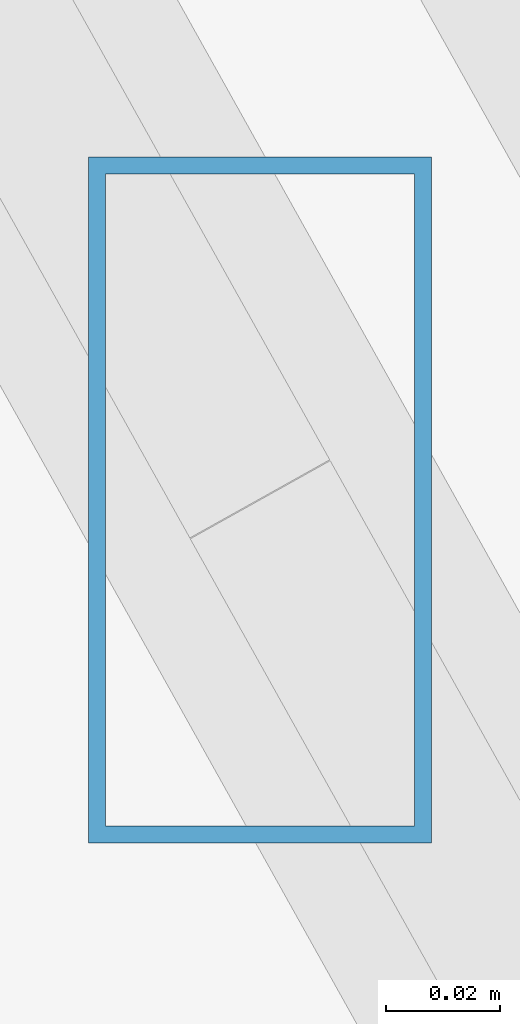
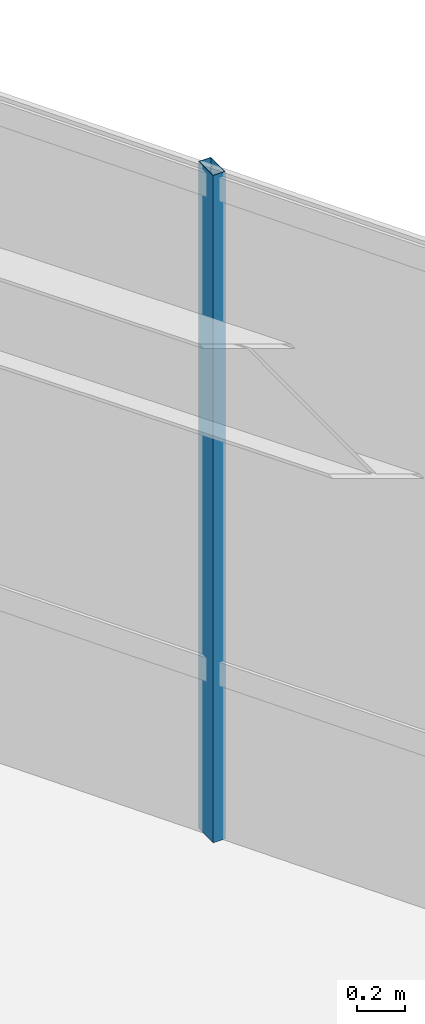
# One storey, part 38 of 45: 1 member, 1 element without a shape of its own.
"""IFC4 building model written with IfcOpenShell, lengths in metres."""

from ifc_helpers import new_model, si_unit, direction, frame, origin, origin_2d, place, context, subcontext, project, spatial, hollow_rectangle, extrude, source, transform, mapped, material, material_profile, profile_set, type_object, type_shapes, element, aggregate, save


model = new_model("IFC4")

# Units and contexts
model_context = context("Model", 3, precision=1e-05, world=origin(), true_north=direction((0.0, 1.0)))
body_context = subcontext(model_context, "Body", "Model", "MODEL_VIEW")
ifc_project = project(units=[si_unit("LENGTHUNIT", "METRE"), si_unit("AREAUNIT", "SQUARE_METRE"), si_unit("VOLUMEUNIT", "CUBIC_METRE"), si_unit("PLANEANGLEUNIT", "RADIAN"), si_unit("MASSUNIT", "GRAM", prefix="KILO")], contexts=[model_context])

# Site, building, storey
site_placement = place(None, origin())
site = spatial("IfcSite", under=ifc_project, at=site_placement, CompositionType="ELEMENT")
building_placement = place(site_placement, origin())
building = spatial("IfcBuilding", under=site, at=building_placement, Name="Caelisora Broadcast Tower", CompositionType="ELEMENT")
storey_placement = place(building_placement, frame((0.0, 0.0, 273.64990234375)))
storey = spatial("IfcBuildingStorey", under=building, at=storey_placement, Name="L72", CompositionType="ELEMENT", Elevation=273.64990234375)

# Curtain wall, member
ifc_material_1 = material(Name="Unitised Aluminium and Low-E Glass Curtain Wall", Category="glass")
curtain_wall_type = type_object("IfcCurtainWallType", Name="CW-Z5", PredefinedType="NOTDEFINED", material=ifc_material_1)
curtain_wall_placement = place(storey_placement, origin())
curtain_wall = element("IfcCurtainWall", 1, at=curtain_wall_placement, inside=storey, type_object=curtain_wall_type, Name="L72 curtain wall CW-Z5", PredefinedType="NOTDEFINED")
ifc_material_2 = material(Name="Aluminium 6063-T6 Anodised Terracotta Bronze", Category="aluminium")
ifc_material_profile = material_profile(ifc_material_2, hollow_rectangle(XDim=0.06005859375, YDim=0.1201171875, WallThickness=0.0029296875, at=origin_2d()), Name="Aluminium 6063-T6 Anodised Terracotta Bronze")
ifc_profile_set = profile_set([ifc_material_profile], Name="Aluminium 6063-T6 Anodised Terracotta Bronze")
member_type = type_object("IfcMemberType", Name="CWM-04", PredefinedType="MULLION", material=ifc_profile_set)
shared_shape = source(origin(), body_context, "Body", "SweptSolid", [
    extrude(hollow_rectangle(XDim=0.06005859375, YDim=0.1201171875, WallThickness=0.0029296875, at=origin_2d()), origin(), (0.0, 0.0, 1.0), 3.400146484375),
])
type_shapes(member_type, [shared_shape])
member_placement = place(storey_placement, frame((45.12890625, 42.261474609375, 0.0), z_axis=(0.0, 0.0, 1.0), x_axis=(1.0, 0.0, 0.0)))
member = element("IfcMember", 2, at=member_placement, type_object=member_type, Name="L72-CW-B01 mullion #2", PredefinedType="MULLION", context=body_context, shape_type="MappedRepresentation", body=[
    mapped(shared_shape, transform((0.0, 0.0, 0.0), scale=1.0)),
])
aggregate(curtain_wall, [member])

save(model, "model.ifc")
